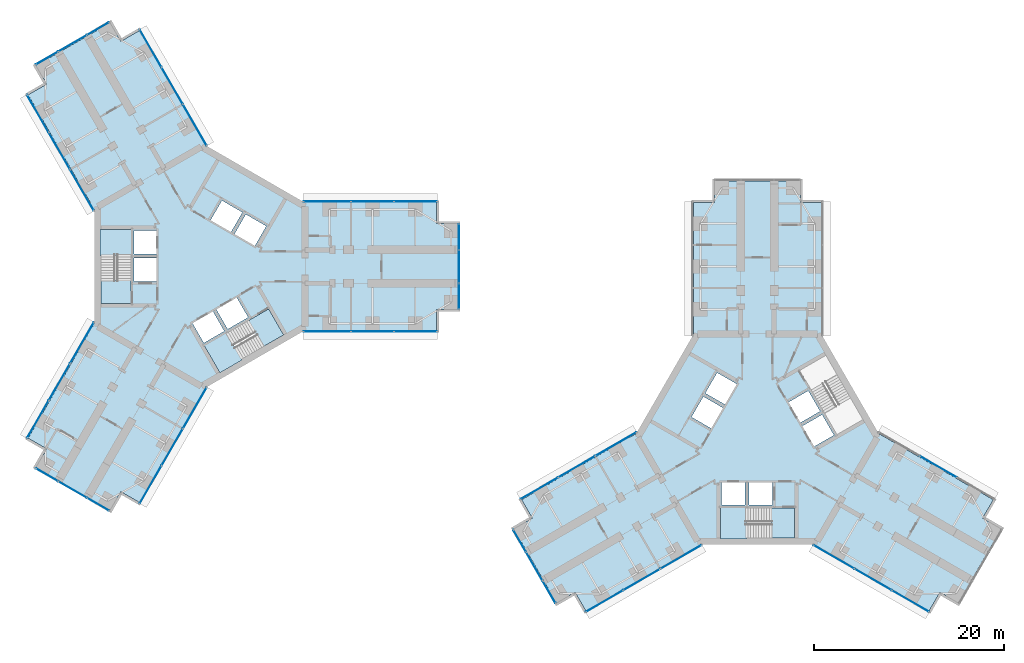
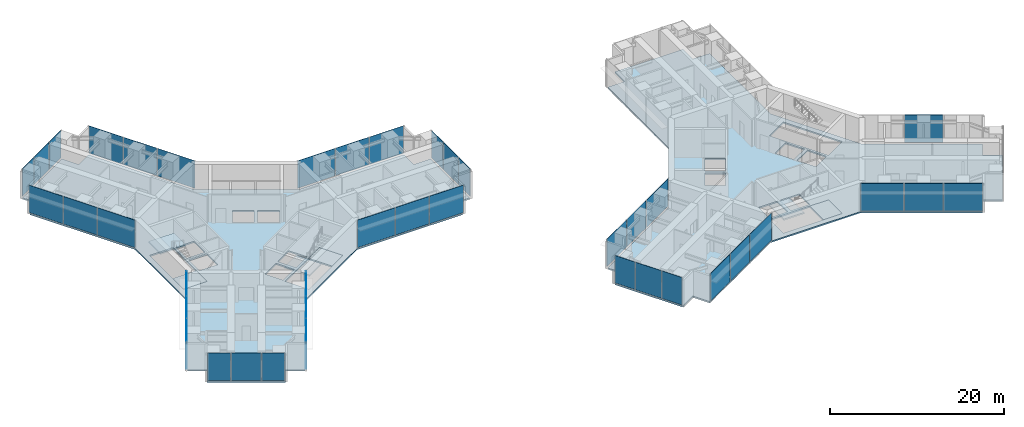
# One storey, part 14 of 23: 40 plates, 8 slabs, 17 elements without a shape of their own.
"""IFC4 building model written with IfcOpenShell, lengths in metres."""

from ifc_helpers import new_model, si_unit, direction, frame, origin, origin_2d, place, context, subcontext, project, spatial, polyline, rectangle, outline, extrude, material, layer, layer_set, type_object, element, aggregate, save


model = new_model("IFC4")

# Units and contexts
model_context = context("Model", 3, precision=1e-05, world=origin(), true_north=direction((0.0, 1.0)))
body_context = subcontext(model_context, "Body", "Model", "MODEL_VIEW")
ifc_project = project(units=[si_unit("LENGTHUNIT", "METRE"), si_unit("AREAUNIT", "SQUARE_METRE"), si_unit("VOLUMEUNIT", "CUBIC_METRE"), si_unit("PLANEANGLEUNIT", "RADIAN"), si_unit("MASSUNIT", "GRAM", prefix="KILO")], contexts=[model_context])

# Site, building, storey
site_placement = place(None, origin())
site = spatial("IfcSite", under=ifc_project, at=site_placement, CompositionType="ELEMENT")
building_placement = place(site_placement, origin())
building = spatial("IfcBuilding", under=site, at=building_placement, Name="Upepo Twin Towers", CompositionType="ELEMENT")
storey_placement = place(building_placement, frame((0.0, 0.0, 32.5)))
storey = spatial("IfcBuildingStorey", under=building, at=storey_placement, Name="L07", CompositionType="ELEMENT", Elevation=32.5)

# Curtain wall, plates
ifc_material_1 = material(Name="Aluminium and fritted glass", Category="aluminium")
curtain_wall_type = type_object("IfcCurtainWallType", Name="Tower curtain wall TW1, fritted glass", PredefinedType="NOTDEFINED", material=ifc_material_1)
curtain_wall_1_placement = place(storey_placement, origin())
curtain_wall_1 = element("IfcCurtainWall", 1, at=curtain_wall_1_placement, inside=storey, type_object=curtain_wall_type, Name="T1 L07 wing A flank L curtain wall", PredefinedType="NOTDEFINED")
ifc_material_2 = material(Name="Ceramic-fritted laminated glass", Category="glass")
ifc_layer_1 = layer(ifc_material_2, 0.031982421875)
ifc_layer_set_1 = layer_set([ifc_layer_1], Name="Fritted glass panel, 20 per cent dot frit, 32 mm double glazed")
plate_type_1 = type_object("IfcPlateType", Name="Fritted glass panel, 20 per cent dot frit, 32 mm double glazed", PredefinedType="CURTAIN_PANEL", material=ifc_layer_set_1)
plate_1_placement = place(storey_placement, frame((13.23486328125, 6.85009765625, 0.14990234375), z_axis=(0.0, 0.0, 1.0), x_axis=(1.0, 0.0, 0.0)))
plate_1 = element("IfcPlate", 2, at=plate_1_placement, type_object=plate_type_1, Name="T1 L07 wing A flank L curtain wall panel 1", PredefinedType="CURTAIN_PANEL", context=body_context, shape_type="SweptSolid", body=[
    extrude(rectangle(XDim=4.96533203125, YDim=0.031982421875, at=origin_2d()), origin(), (0.0, 0.0, 1.0), 3.85009765625),
])
plate_2_placement = place(storey_placement, frame((18.0, 6.85009765625, 0.14990234375), z_axis=(0.0, 0.0, 1.0), x_axis=(1.0, 0.0, 0.0)))
plate_2 = element("IfcPlate", 3, at=plate_2_placement, type_object=plate_type_1, Name="T1 L07 wing A flank L curtain wall panel 2", PredefinedType="CURTAIN_PANEL", context=body_context, shape_type="SweptSolid", body=[
    extrude(rectangle(XDim=4.43505859375, YDim=0.031982421875, at=origin_2d()), origin(), (0.0, 0.0, 1.0), 3.85009765625),
])
plate_3_placement = place(storey_placement, frame((22.53369140625, 6.85009765625, 0.14990234375), z_axis=(0.0, 0.0, 1.0), x_axis=(1.0, 0.0, 0.0)))
plate_3 = element("IfcPlate", 4, at=plate_3_placement, type_object=plate_type_1, Name="T1 L07 wing A flank L curtain wall panel 3", PredefinedType="CURTAIN_PANEL", context=body_context, shape_type="SweptSolid", body=[
    extrude(rectangle(XDim=4.50244140625, YDim=0.031982421875, at=origin_2d()), origin(), (0.0, 0.0, 1.0), 3.85009765625),
])
aggregate(curtain_wall_1, [plate_1, plate_2, plate_3])

curtain_wall_2_placement = place(storey_placement, origin())
curtain_wall_2 = element("IfcCurtainWall", 5, at=curtain_wall_2_placement, inside=storey, type_object=curtain_wall_type, Name="T1 L07 wing A flank R curtain wall", PredefinedType="NOTDEFINED")
plate_4_placement = place(storey_placement, frame((22.53369140625, -6.85009765625, 0.14990234375), z_axis=(0.0, 0.0, 1.0), x_axis=(-1.0, 0.0, 0.0)))
plate_4 = element("IfcPlate", 6, at=plate_4_placement, type_object=plate_type_1, Name="T1 L07 wing A flank R curtain wall panel 1", PredefinedType="CURTAIN_PANEL", context=body_context, shape_type="SweptSolid", body=[
    extrude(rectangle(XDim=4.50244140625, YDim=0.031982421875, at=origin_2d()), origin(), (0.0, 0.0, 1.0), 3.85009765625),
])
plate_5_placement = place(storey_placement, frame((18.0, -6.85009765625, 0.14990234375), z_axis=(0.0, 0.0, 1.0), x_axis=(-1.0, 0.0, 0.0)))
plate_5 = element("IfcPlate", 7, at=plate_5_placement, type_object=plate_type_1, Name="T1 L07 wing A flank R curtain wall panel 2", PredefinedType="CURTAIN_PANEL", context=body_context, shape_type="SweptSolid", body=[
    extrude(rectangle(XDim=4.43505859375, YDim=0.031982421875, at=origin_2d()), origin(), (0.0, 0.0, 1.0), 3.85009765625),
])
plate_6_placement = place(storey_placement, frame((13.23486328125, -6.85009765625, 0.14990234375), z_axis=(0.0, 0.0, 1.0), x_axis=(-1.0, 0.0, 0.0)))
plate_6 = element("IfcPlate", 8, at=plate_6_placement, type_object=plate_type_1, Name="T1 L07 wing A flank R curtain wall panel 3", PredefinedType="CURTAIN_PANEL", context=body_context, shape_type="SweptSolid", body=[
    extrude(rectangle(XDim=4.96533203125, YDim=0.031982421875, at=origin_2d()), origin(), (0.0, 0.0, 1.0), 3.85009765625),
])
aggregate(curtain_wall_2, [plate_4, plate_5, plate_6])

# Curtain wall, plate
curtain_wall_3_placement = place(storey_placement, origin())
curtain_wall_3 = element("IfcCurtainWall", 9, at=curtain_wall_3_placement, inside=storey, type_object=curtain_wall_type, Name="T1 L07 wing A nose curtain wall", PredefinedType="NOTDEFINED")
plate_7_placement = place(storey_placement, frame((27.10009765625, 0.0, 0.14990234375), z_axis=(0.0, 0.0, 1.0), x_axis=(0.0, 1.0, 0.0)))
plate_7 = element("IfcPlate", 10, at=plate_7_placement, type_object=plate_type_1, Name="T1 L07 wing A nose curtain wall panel 2", PredefinedType="CURTAIN_PANEL", context=body_context, shape_type="SweptSolid", body=[
    extrude(rectangle(XDim=3.43505859375, YDim=0.031982421875, at=origin_2d()), origin(), (0.0, 0.0, 1.0), 3.85009765625),
])

# Curtain wall, plates
curtain_wall_4_placement = place(storey_placement, origin())
curtain_wall_4 = element("IfcCurtainWall", 11, at=curtain_wall_4_placement, inside=storey, type_object=curtain_wall_type, Name="T1 L07 wing B flank L curtain wall", PredefinedType="NOTDEFINED")
plate_8_placement = place(storey_placement, frame((-12.549560546875, 8.03662109375, 0.14990234375), z_axis=(0.0, 0.0, 1.0), x_axis=(-0.500000024426, 0.866025389682, 0.0)))
plate_8 = element("IfcPlate", 12, at=plate_8_placement, type_object=plate_type_1, Name="T1 L07 wing B flank L curtain wall panel 1", PredefinedType="CURTAIN_PANEL", context=body_context, shape_type="SweptSolid", body=[
    extrude(rectangle(XDim=4.96533203125, YDim=0.031982421875, at=origin_2d()), origin(), (0.0, 0.0, 1.0), 3.85009765625),
])
plate_9_placement = place(storey_placement, frame((-14.932373046875, 12.16357421875, 0.14990234375), z_axis=(0.0, 0.0, 1.0), x_axis=(-0.500000024426, 0.866025389682, 0.0)))
plate_9 = element("IfcPlate", 13, at=plate_9_placement, type_object=plate_type_1, Name="T1 L07 wing B flank L curtain wall panel 2", PredefinedType="CURTAIN_PANEL", context=body_context, shape_type="SweptSolid", body=[
    extrude(rectangle(XDim=4.43505859375, YDim=0.031982421875, at=origin_2d()), origin(), (0.0, 0.0, 1.0), 3.85009765625),
])
plate_10_placement = place(storey_placement, frame((-17.19921875, 16.08984375, 0.14990234375), z_axis=(0.0, 0.0, 1.0), x_axis=(-0.500000024426, 0.866025389682, 0.0)))
plate_10 = element("IfcPlate", 14, at=plate_10_placement, type_object=plate_type_1, Name="T1 L07 wing B flank L curtain wall panel 3", PredefinedType="CURTAIN_PANEL", context=body_context, shape_type="SweptSolid", body=[
    extrude(rectangle(XDim=4.50244140625, YDim=0.031982421875, at=origin_2d()), origin(), (0.0, 0.0, 1.0), 3.85009765625),
])
aggregate(curtain_wall_4, [plate_8, plate_9, plate_10])

curtain_wall_5_placement = place(storey_placement, origin())
curtain_wall_5 = element("IfcCurtainWall", 15, at=curtain_wall_5_placement, inside=storey, type_object=curtain_wall_type, Name="T1 L07 wing B flank R curtain wall", PredefinedType="NOTDEFINED")
plate_11_placement = place(storey_placement, frame((-5.334716796875, 22.939697265625, 0.14990234375), z_axis=(0.0, 0.0, 1.0), x_axis=(0.500000024426, -0.866025389682, 0.0)))
plate_11 = element("IfcPlate", 16, at=plate_11_placement, type_object=plate_type_1, Name="T1 L07 wing B flank R curtain wall panel 1", PredefinedType="CURTAIN_PANEL", context=body_context, shape_type="SweptSolid", body=[
    extrude(rectangle(XDim=4.50244140625, YDim=0.031982421875, at=origin_2d()), origin(), (0.0, 0.0, 1.0), 3.85009765625),
])
plate_12_placement = place(storey_placement, frame((-3.067626953125, 19.013427734375, 0.14990234375), z_axis=(0.0, 0.0, 1.0), x_axis=(0.500000024426, -0.866025389682, 0.0)))
plate_12 = element("IfcPlate", 17, at=plate_12_placement, type_object=plate_type_1, Name="T1 L07 wing B flank R curtain wall panel 2", PredefinedType="CURTAIN_PANEL", context=body_context, shape_type="SweptSolid", body=[
    extrude(rectangle(XDim=4.43505859375, YDim=0.031982421875, at=origin_2d()), origin(), (0.0, 0.0, 1.0), 3.85009765625),
])
plate_13_placement = place(storey_placement, frame((-0.68505859375, 14.88671875, 0.14990234375), z_axis=(0.0, 0.0, 1.0), x_axis=(0.500000024426, -0.866025389682, 0.0)))
plate_13 = element("IfcPlate", 18, at=plate_13_placement, type_object=plate_type_1, Name="T1 L07 wing B flank R curtain wall panel 3", PredefinedType="CURTAIN_PANEL", context=body_context, shape_type="SweptSolid", body=[
    extrude(rectangle(XDim=4.96533203125, YDim=0.031982421875, at=origin_2d()), origin(), (0.0, 0.0, 1.0), 3.85009765625),
])
aggregate(curtain_wall_5, [plate_11, plate_12, plate_13])

# Curtain wall, plate
curtain_wall_6_placement = place(storey_placement, origin())
curtain_wall_6 = element("IfcCurtainWall", 19, at=curtain_wall_6_placement, inside=storey, type_object=curtain_wall_type, Name="T1 L07 wing B nose curtain wall", PredefinedType="NOTDEFINED")
plate_14_placement = place(storey_placement, frame((-13.550048828125, 23.46923828125, 0.14990234375), z_axis=(0.0, 0.0, 1.0), x_axis=(-0.866025386174, -0.500000030502, 0.0)))
plate_14 = element("IfcPlate", 20, at=plate_14_placement, type_object=plate_type_1, Name="T1 L07 wing B nose curtain wall panel 2", PredefinedType="CURTAIN_PANEL", context=body_context, shape_type="SweptSolid", body=[
    extrude(rectangle(XDim=3.43505859375, YDim=0.031982421875, at=origin_2d()), origin(), (0.0, 0.0, 1.0), 3.85009765625),
])

# Curtain wall, plates
curtain_wall_7_placement = place(storey_placement, origin())
curtain_wall_7 = element("IfcCurtainWall", 21, at=curtain_wall_7_placement, inside=storey, type_object=curtain_wall_type, Name="T1 L07 wing C flank L curtain wall", PredefinedType="NOTDEFINED")
plate_15_placement = place(storey_placement, frame((-0.68505859375, -14.88671875, 0.14990234375), z_axis=(0.0, 0.0, 1.0), x_axis=(-0.500000024426, -0.866025389682, 0.0)))
plate_15 = element("IfcPlate", 22, at=plate_15_placement, type_object=plate_type_1, Name="T1 L07 wing C flank L curtain wall panel 1", PredefinedType="CURTAIN_PANEL", context=body_context, shape_type="SweptSolid", body=[
    extrude(rectangle(XDim=4.96533203125, YDim=0.031982421875, at=origin_2d()), origin(), (0.0, 0.0, 1.0), 3.85009765625),
])
plate_16_placement = place(storey_placement, frame((-3.067626953125, -19.013427734375, 0.14990234375), z_axis=(0.0, 0.0, 1.0), x_axis=(-0.500000024426, -0.866025389682, 0.0)))
plate_16 = element("IfcPlate", 23, at=plate_16_placement, type_object=plate_type_1, Name="T1 L07 wing C flank L curtain wall panel 2", PredefinedType="CURTAIN_PANEL", context=body_context, shape_type="SweptSolid", body=[
    extrude(rectangle(XDim=4.43505859375, YDim=0.031982421875, at=origin_2d()), origin(), (0.0, 0.0, 1.0), 3.85009765625),
])
plate_17_placement = place(storey_placement, frame((-5.334716796875, -22.939697265625, 0.14990234375), z_axis=(0.0, 0.0, 1.0), x_axis=(-0.500000024426, -0.866025389682, 0.0)))
plate_17 = element("IfcPlate", 24, at=plate_17_placement, type_object=plate_type_1, Name="T1 L07 wing C flank L curtain wall panel 3", PredefinedType="CURTAIN_PANEL", context=body_context, shape_type="SweptSolid", body=[
    extrude(rectangle(XDim=4.50244140625, YDim=0.031982421875, at=origin_2d()), origin(), (0.0, 0.0, 1.0), 3.85009765625),
])
aggregate(curtain_wall_7, [plate_15, plate_16, plate_17])

curtain_wall_8_placement = place(storey_placement, origin())
curtain_wall_8 = element("IfcCurtainWall", 25, at=curtain_wall_8_placement, inside=storey, type_object=curtain_wall_type, Name="T1 L07 wing C flank R curtain wall", PredefinedType="NOTDEFINED")
plate_18_placement = place(storey_placement, frame((-17.19921875, -16.08984375, 0.14990234375), z_axis=(0.0, 0.0, 1.0), x_axis=(0.500000024426, 0.866025389682, 0.0)))
plate_18 = element("IfcPlate", 26, at=plate_18_placement, type_object=plate_type_1, Name="T1 L07 wing C flank R curtain wall panel 1", PredefinedType="CURTAIN_PANEL", context=body_context, shape_type="SweptSolid", body=[
    extrude(rectangle(XDim=4.50244140625, YDim=0.031982421875, at=origin_2d()), origin(), (0.0, 0.0, 1.0), 3.85009765625),
])
plate_19_placement = place(storey_placement, frame((-14.932373046875, -12.16357421875, 0.14990234375), z_axis=(0.0, 0.0, 1.0), x_axis=(0.500000024426, 0.866025389682, 0.0)))
plate_19 = element("IfcPlate", 27, at=plate_19_placement, type_object=plate_type_1, Name="T1 L07 wing C flank R curtain wall panel 2", PredefinedType="CURTAIN_PANEL", context=body_context, shape_type="SweptSolid", body=[
    extrude(rectangle(XDim=4.43505859375, YDim=0.031982421875, at=origin_2d()), origin(), (0.0, 0.0, 1.0), 3.85009765625),
])
plate_20_placement = place(storey_placement, frame((-12.549560546875, -8.03662109375, 0.14990234375), z_axis=(0.0, 0.0, 1.0), x_axis=(0.500000024426, 0.866025389682, 0.0)))
plate_20 = element("IfcPlate", 28, at=plate_20_placement, type_object=plate_type_1, Name="T1 L07 wing C flank R curtain wall panel 3", PredefinedType="CURTAIN_PANEL", context=body_context, shape_type="SweptSolid", body=[
    extrude(rectangle(XDim=4.96533203125, YDim=0.031982421875, at=origin_2d()), origin(), (0.0, 0.0, 1.0), 3.85009765625),
])
aggregate(curtain_wall_8, [plate_18, plate_19, plate_20])

# Curtain wall, plate
curtain_wall_9_placement = place(storey_placement, origin())
curtain_wall_9 = element("IfcCurtainWall", 29, at=curtain_wall_9_placement, inside=storey, type_object=curtain_wall_type, Name="T1 L07 wing C nose curtain wall", PredefinedType="NOTDEFINED")
plate_21_placement = place(storey_placement, frame((-13.550048828125, -23.46923828125, 0.14990234375), z_axis=(0.0, 0.0, 1.0), x_axis=(0.866025386174, -0.500000030502, 0.0)))
plate_21 = element("IfcPlate", 30, at=plate_21_placement, type_object=plate_type_1, Name="T1 L07 wing C nose curtain wall panel 2", PredefinedType="CURTAIN_PANEL", context=body_context, shape_type="SweptSolid", body=[
    extrude(rectangle(XDim=3.43505859375, YDim=0.031982421875, at=origin_2d()), origin(), (0.0, 0.0, 1.0), 3.85009765625),
])

# Curtain wall, plates
curtain_wall_10_placement = place(storey_placement, origin())
curtain_wall_10 = element("IfcCurtainWall", 31, at=curtain_wall_10_placement, inside=storey, type_object=curtain_wall_type, Name="T2 L07 wing B flank L curtain wall", PredefinedType="NOTDEFINED")
plate_22_placement = place(storey_placement, frame((50.46337890625, -30.549560546875, 0.14990234375), z_axis=(0.0, 0.0, 1.0), x_axis=(-0.866025389682, -0.500000024426, 0.0)))
plate_22 = element("IfcPlate", 32, at=plate_22_placement, type_object=plate_type_1, Name="T2 L07 wing B flank L curtain wall panel 1", PredefinedType="CURTAIN_PANEL", context=body_context, shape_type="SweptSolid", body=[
    extrude(rectangle(XDim=4.96533203125, YDim=0.031982421875, at=origin_2d()), origin(), (0.0, 0.0, 1.0), 3.85009765625),
])
plate_23_placement = place(storey_placement, frame((46.33642578125, -32.932373046875, 0.14990234375), z_axis=(0.0, 0.0, 1.0), x_axis=(-0.866025389682, -0.500000024426, 0.0)))
plate_23 = element("IfcPlate", 33, at=plate_23_placement, type_object=plate_type_1, Name="T2 L07 wing B flank L curtain wall panel 2", PredefinedType="CURTAIN_PANEL", context=body_context, shape_type="SweptSolid", body=[
    extrude(rectangle(XDim=4.43505859375, YDim=0.031982421875, at=origin_2d()), origin(), (0.0, 0.0, 1.0), 3.85009765625),
])
plate_24_placement = place(storey_placement, frame((42.41015625, -35.19921875, 0.14990234375), z_axis=(0.0, 0.0, 1.0), x_axis=(-0.866025389682, -0.500000024426, 0.0)))
plate_24 = element("IfcPlate", 34, at=plate_24_placement, type_object=plate_type_1, Name="T2 L07 wing B flank L curtain wall panel 3", PredefinedType="CURTAIN_PANEL", context=body_context, shape_type="SweptSolid", body=[
    extrude(rectangle(XDim=4.50244140625, YDim=0.031982421875, at=origin_2d()), origin(), (0.0, 0.0, 1.0), 3.85009765625),
])
aggregate(curtain_wall_10, [plate_22, plate_23, plate_24])

curtain_wall_11_placement = place(storey_placement, origin())
curtain_wall_11 = element("IfcCurtainWall", 35, at=curtain_wall_11_placement, inside=storey, type_object=curtain_wall_type, Name="T2 L07 wing B flank R curtain wall", PredefinedType="NOTDEFINED")
plate_25_placement = place(storey_placement, frame((35.560302734375, -23.334716796875, 0.14990234375), z_axis=(0.0, 0.0, 1.0), x_axis=(0.866025389682, 0.500000024426, 0.0)))
plate_25 = element("IfcPlate", 36, at=plate_25_placement, type_object=plate_type_1, Name="T2 L07 wing B flank R curtain wall panel 1", PredefinedType="CURTAIN_PANEL", context=body_context, shape_type="SweptSolid", body=[
    extrude(rectangle(XDim=4.50244140625, YDim=0.031982421875, at=origin_2d()), origin(), (0.0, 0.0, 1.0), 3.85009765625),
])
plate_26_placement = place(storey_placement, frame((39.486572265625, -21.067626953125, 0.14990234375), z_axis=(0.0, 0.0, 1.0), x_axis=(0.866025389682, 0.500000024426, 0.0)))
plate_26 = element("IfcPlate", 37, at=plate_26_placement, type_object=plate_type_1, Name="T2 L07 wing B flank R curtain wall panel 2", PredefinedType="CURTAIN_PANEL", context=body_context, shape_type="SweptSolid", body=[
    extrude(rectangle(XDim=4.43505859375, YDim=0.031982421875, at=origin_2d()), origin(), (0.0, 0.0, 1.0), 3.85009765625),
])
plate_27_placement = place(storey_placement, frame((43.61328125, -18.68505859375, 0.14990234375), z_axis=(0.0, 0.0, 1.0), x_axis=(0.866025389682, 0.500000024426, 0.0)))
plate_27 = element("IfcPlate", 38, at=plate_27_placement, type_object=plate_type_1, Name="T2 L07 wing B flank R curtain wall panel 3", PredefinedType="CURTAIN_PANEL", context=body_context, shape_type="SweptSolid", body=[
    extrude(rectangle(XDim=4.96533203125, YDim=0.031982421875, at=origin_2d()), origin(), (0.0, 0.0, 1.0), 3.85009765625),
])
aggregate(curtain_wall_11, [plate_25, plate_26, plate_27])

# Curtain wall, plate
curtain_wall_12_placement = place(storey_placement, origin())
curtain_wall_12 = element("IfcCurtainWall", 39, at=curtain_wall_12_placement, inside=storey, type_object=curtain_wall_type, Name="T2 L07 wing B nose curtain wall", PredefinedType="NOTDEFINED")
plate_28_placement = place(storey_placement, frame((35.03076171875, -31.550048828125, 0.14990234375), z_axis=(0.0, 0.0, 1.0), x_axis=(0.500000030502, -0.866025386174, 0.0)))
plate_28 = element("IfcPlate", 40, at=plate_28_placement, type_object=plate_type_1, Name="T2 L07 wing B nose curtain wall panel 2", PredefinedType="CURTAIN_PANEL", context=body_context, shape_type="SweptSolid", body=[
    extrude(rectangle(XDim=3.43505859375, YDim=0.031982421875, at=origin_2d()), origin(), (0.0, 0.0, 1.0), 3.85009765625),
])

curtain_wall_13_placement = place(storey_placement, origin())
curtain_wall_13 = element("IfcCurtainWall", 41, at=curtain_wall_13_placement, inside=storey, type_object=curtain_wall_type, Name="T2 L07 wing C flank L curtain wall", PredefinedType="NOTDEFINED")
plate_29_placement = place(storey_placement, frame((77.513427734375, -21.067626953125, 0.14990234375), z_axis=(0.0, 0.0, 1.0), x_axis=(0.866025389682, -0.500000024426, 0.0)))
plate_29 = element("IfcPlate", 42, at=plate_29_placement, type_object=plate_type_1, Name="T2 L07 wing C flank L curtain wall panel 2", PredefinedType="CURTAIN_PANEL", context=body_context, shape_type="SweptSolid", body=[
    extrude(rectangle(XDim=4.43505859375, YDim=0.031982421875, at=origin_2d()), origin(), (0.0, 0.0, 1.0), 3.85009765625),
])
aggregate(curtain_wall_13, [plate_29])

# Curtain wall, plates
curtain_wall_14_placement = place(storey_placement, origin())
curtain_wall_14 = element("IfcCurtainWall", 43, at=curtain_wall_14_placement, inside=storey, type_object=curtain_wall_type, Name="T2 L07 wing C flank R curtain wall", PredefinedType="NOTDEFINED")
plate_30_placement = place(storey_placement, frame((74.58984375, -35.19921875, 0.14990234375), z_axis=(0.0, 0.0, 1.0), x_axis=(-0.866025389682, 0.500000024426, 0.0)))
plate_30 = element("IfcPlate", 44, at=plate_30_placement, type_object=plate_type_1, Name="T2 L07 wing C flank R curtain wall panel 1", PredefinedType="CURTAIN_PANEL", context=body_context, shape_type="SweptSolid", body=[
    extrude(rectangle(XDim=4.50244140625, YDim=0.031982421875, at=origin_2d()), origin(), (0.0, 0.0, 1.0), 3.85009765625),
])
plate_31_placement = place(storey_placement, frame((70.66357421875, -32.932373046875, 0.14990234375), z_axis=(0.0, 0.0, 1.0), x_axis=(-0.866025389682, 0.500000024426, 0.0)))
plate_31 = element("IfcPlate", 45, at=plate_31_placement, type_object=plate_type_1, Name="T2 L07 wing C flank R curtain wall panel 2", PredefinedType="CURTAIN_PANEL", context=body_context, shape_type="SweptSolid", body=[
    extrude(rectangle(XDim=4.43505859375, YDim=0.031982421875, at=origin_2d()), origin(), (0.0, 0.0, 1.0), 3.85009765625),
])
plate_32_placement = place(storey_placement, frame((66.53662109375, -30.549560546875, 0.14990234375), z_axis=(0.0, 0.0, 1.0), x_axis=(-0.866025389682, 0.500000024426, 0.0)))
plate_32 = element("IfcPlate", 46, at=plate_32_placement, type_object=plate_type_1, Name="T2 L07 wing C flank R curtain wall panel 3", PredefinedType="CURTAIN_PANEL", context=body_context, shape_type="SweptSolid", body=[
    extrude(rectangle(XDim=4.96533203125, YDim=0.031982421875, at=origin_2d()), origin(), (0.0, 0.0, 1.0), 3.85009765625),
])
aggregate(curtain_wall_14, [plate_30, plate_31, plate_32])

# Plate
ifc_material_3 = material(Name="Clear laminated glass in opening sash", Category="glass")
ifc_layer_2 = layer(ifc_material_3, 0.031982421875)
ifc_layer_set_2 = layer_set([ifc_layer_2], Name="Operable glass panel, 32 mm double glazed")
plate_type_2 = type_object("IfcPlateType", Name="Operable glass panel, 32 mm double glazed", PredefinedType="CURTAIN_PANEL", material=ifc_layer_set_2)
plate_33_placement = place(storey_placement, frame((27.10009765625, -3.108642578125, 0.14990234375), z_axis=(0.0, 0.0, 1.0), x_axis=(0.0, 1.0, 0.0)))
plate_33 = element("IfcPlate", 47, at=plate_33_placement, type_object=plate_type_2, Name="T1 L07 wing A nose curtain wall panel 1", PredefinedType="CURTAIN_PANEL", context=body_context, shape_type="SweptSolid", body=[
    extrude(rectangle(XDim=2.652587890625, YDim=0.031982421875, at=origin_2d()), origin(), (0.0, 0.0, 1.0), 3.85009765625),
])

plate_34_placement = place(storey_placement, frame((27.10009765625, 3.108642578125, 0.14990234375), z_axis=(0.0, 0.0, 1.0), x_axis=(0.0, 1.0, 0.0)))
plate_34 = element("IfcPlate", 48, at=plate_34_placement, type_object=plate_type_2, Name="T1 L07 wing A nose curtain wall panel 3", PredefinedType="CURTAIN_PANEL", context=body_context, shape_type="SweptSolid", body=[
    extrude(rectangle(XDim=2.652587890625, YDim=0.031982421875, at=origin_2d()), origin(), (0.0, 0.0, 1.0), 3.85009765625),
])

aggregate(curtain_wall_3, [plate_33, plate_7, plate_34])

plate_35_placement = place(storey_placement, frame((-10.857666015625, 25.023681640625, 0.14990234375), z_axis=(0.0, 0.0, 1.0), x_axis=(-0.866025386174, -0.500000030502, 0.0)))
plate_35 = element("IfcPlate", 49, at=plate_35_placement, type_object=plate_type_2, Name="T1 L07 wing B nose curtain wall panel 1", PredefinedType="CURTAIN_PANEL", context=body_context, shape_type="SweptSolid", body=[
    extrude(rectangle(XDim=2.652587890625, YDim=0.031982421875, at=origin_2d()), origin(), (0.0, 0.0, 1.0), 3.85009765625),
])

plate_36_placement = place(storey_placement, frame((-16.2421875, 21.914794921875, 0.14990234375), z_axis=(0.0, 0.0, 1.0), x_axis=(-0.866025386174, -0.500000030502, 0.0)))
plate_36 = element("IfcPlate", 50, at=plate_36_placement, type_object=plate_type_2, Name="T1 L07 wing B nose curtain wall panel 3", PredefinedType="CURTAIN_PANEL", context=body_context, shape_type="SweptSolid", body=[
    extrude(rectangle(XDim=2.652587890625, YDim=0.031982421875, at=origin_2d()), origin(), (0.0, 0.0, 1.0), 3.85009765625),
])

aggregate(curtain_wall_6, [plate_35, plate_14, plate_36])

plate_37_placement = place(storey_placement, frame((-16.2421875, -21.914794921875, 0.14990234375), z_axis=(0.0, 0.0, 1.0), x_axis=(0.866025386174, -0.500000030502, 0.0)))
plate_37 = element("IfcPlate", 51, at=plate_37_placement, type_object=plate_type_2, Name="T1 L07 wing C nose curtain wall panel 1", PredefinedType="CURTAIN_PANEL", context=body_context, shape_type="SweptSolid", body=[
    extrude(rectangle(XDim=2.652587890625, YDim=0.031982421875, at=origin_2d()), origin(), (0.0, 0.0, 1.0), 3.85009765625),
])

plate_38_placement = place(storey_placement, frame((-10.857666015625, -25.023681640625, 0.14990234375), z_axis=(0.0, 0.0, 1.0), x_axis=(0.866025386174, -0.500000030502, 0.0)))
plate_38 = element("IfcPlate", 52, at=plate_38_placement, type_object=plate_type_2, Name="T1 L07 wing C nose curtain wall panel 3", PredefinedType="CURTAIN_PANEL", context=body_context, shape_type="SweptSolid", body=[
    extrude(rectangle(XDim=2.652587890625, YDim=0.031982421875, at=origin_2d()), origin(), (0.0, 0.0, 1.0), 3.85009765625),
])

aggregate(curtain_wall_9, [plate_37, plate_21, plate_38])

plate_39_placement = place(storey_placement, frame((33.476318359375, -28.857666015625, 0.14990234375), z_axis=(0.0, 0.0, 1.0), x_axis=(0.500000030502, -0.866025386174, 0.0)))
plate_39 = element("IfcPlate", 53, at=plate_39_placement, type_object=plate_type_2, Name="T2 L07 wing B nose curtain wall panel 1", PredefinedType="CURTAIN_PANEL", context=body_context, shape_type="SweptSolid", body=[
    extrude(rectangle(XDim=2.652587890625, YDim=0.031982421875, at=origin_2d()), origin(), (0.0, 0.0, 1.0), 3.85009765625),
])

plate_40_placement = place(storey_placement, frame((36.585205078125, -34.2421875, 0.14990234375), z_axis=(0.0, 0.0, 1.0), x_axis=(0.500000030502, -0.866025386174, 0.0)))
plate_40 = element("IfcPlate", 54, at=plate_40_placement, type_object=plate_type_2, Name="T2 L07 wing B nose curtain wall panel 3", PredefinedType="CURTAIN_PANEL", context=body_context, shape_type="SweptSolid", body=[
    extrude(rectangle(XDim=2.652587890625, YDim=0.031982421875, at=origin_2d()), origin(), (0.0, 0.0, 1.0), 3.85009765625),
])

aggregate(curtain_wall_12, [plate_39, plate_28, plate_40])

# Stair, slabs
ifc_material_4 = material(Name="Concrete C40/50", Category="concrete")
stair_type = type_object("IfcStairType", Name="Core stair, two flights", PredefinedType="HALF_TURN_STAIR", material=ifc_material_4)
stair_1_placement = place(storey_placement, origin())
stair_1 = element("IfcStair", 55, at=stair_1_placement, inside=storey, type_object=stair_type, Name="T1 stair S1 L07", PredefinedType="HALF_TURN_STAIR")
ifc_material_5 = material(Name="Concrete C40/50", Category="concrete")
ifc_layer_3 = layer(ifc_material_5, 0.199951171875)
ifc_layer_set_3 = layer_set([ifc_layer_3], Name="Concrete C40/50")
slab_type_1 = type_object("IfcSlabType", Name="Stair landing 200 RC", PredefinedType="LANDING", material=ifc_layer_set_3)
slab_1_placement = place(storey_placement, frame((0.0, 0.0, -0.199951171875)))
slab_1 = element("IfcSlab", 56, at=slab_1_placement, type_object=slab_type_1, Name="Stair S1 landing 1", PredefinedType="LANDING", context=body_context, shape_type="SweptSolid", body=[
    extrude(outline(polyline([(-7.39990234375, -1.419921875), (-10.558349609375, -1.419921875), (-10.558349609375, -3.89990234375), (-7.39990234375, -3.89990234375), (-7.39990234375, -1.419921875)])), origin(), (0.0, 0.0, 1.0), 0.199951171875),
])
slab_2_placement = place(storey_placement, frame((0.0, 0.0, 1.800048828125)))
slab_2 = element("IfcSlab", 57, at=slab_2_placement, type_object=slab_type_1, Name="Stair S1 landing 2", PredefinedType="LANDING", context=body_context, shape_type="SweptSolid", body=[
    extrude(outline(polyline([(-7.300048828125, 3.89990234375), (-10.658447265625, 3.89990234375), (-10.658447265625, 1.179931640625), (-7.300048828125, 1.179931640625), (-7.300048828125, 3.89990234375)])), origin(), (0.0, 0.0, 1.0), 0.199951171875),
])
aggregate(stair_1, [slab_1, slab_2])

stair_2_placement = place(storey_placement, origin())
stair_2 = element("IfcStair", 58, at=stair_2_placement, inside=storey, type_object=stair_type, Name="T1 stair S2 L07", PredefinedType="HALF_TURN_STAIR")
slab_3_placement = place(storey_placement, frame((0.0, 0.0, -0.199951171875)))
slab_3 = element("IfcSlab", 59, at=slab_3_placement, type_object=slab_type_1, Name="Stair S2 landing 1", PredefinedType="LANDING", context=body_context, shape_type="SweptSolid", body=[
    extrude(outline(polyline([(4.9296875, -5.698486328125), (6.509033203125, -8.433837890625), (8.65673828125, -7.19384765625), (7.077392578125, -4.45849609375), (4.9296875, -5.698486328125)])), origin(), (0.0, 0.0, 1.0), 0.199951171875),
])
slab_4_placement = place(storey_placement, frame((0.0, 0.0, 1.800048828125)))
slab_4 = element("IfcSlab", 60, at=slab_4_placement, type_object=slab_type_1, Name="Stair S2 landing 2", PredefinedType="LANDING", context=body_context, shape_type="SweptSolid", body=[
    extrude(outline(polyline([(0.2724609375, -8.27197265625), (1.95166015625, -11.180419921875), (4.307373046875, -9.8203125), (2.628173828125, -6.911865234375), (0.2724609375, -8.27197265625)])), origin(), (0.0, 0.0, 1.0), 0.199951171875),
])
aggregate(stair_2, [slab_3, slab_4])

stair_3_placement = place(storey_placement, origin())
stair_3 = element("IfcStair", 61, at=stair_3_placement, inside=storey, type_object=stair_type, Name="T2 stair S1 L07", PredefinedType="HALF_TURN_STAIR")
slab_5_placement = place(storey_placement, frame((0.0, 0.0, -0.199951171875)))
slab_5 = element("IfcSlab", 62, at=slab_5_placement, type_object=slab_type_1, Name="Stair S1 landing 1", PredefinedType="LANDING", context=body_context, shape_type="SweptSolid", body=[
    extrude(outline(polyline([(59.919921875, -25.39990234375), (59.919921875, -28.558349609375), (62.39990234375, -28.558349609375), (62.39990234375, -25.39990234375), (59.919921875, -25.39990234375)])), origin(), (0.0, 0.0, 1.0), 0.199951171875),
])
slab_6_placement = place(storey_placement, frame((0.0, 0.0, 1.800048828125)))
slab_6 = element("IfcSlab", 63, at=slab_6_placement, type_object=slab_type_1, Name="Stair S1 landing 2", PredefinedType="LANDING", context=body_context, shape_type="SweptSolid", body=[
    extrude(outline(polyline([(54.60009765625, -25.300048828125), (54.60009765625, -28.658447265625), (57.320068359375, -28.658447265625), (57.320068359375, -25.300048828125), (54.60009765625, -25.300048828125)])), origin(), (0.0, 0.0, 1.0), 0.199951171875),
])
aggregate(stair_3, [slab_5, slab_6])

# Slabs
ifc_material_6 = material(Name="Concrete C40/50", Category="concrete")
ifc_layer_4 = layer(ifc_material_6, 0.199951171875)
ifc_layer_set_4 = layer_set([ifc_layer_4], Name="Concrete C40/50")
slab_type_2 = type_object("IfcSlabType", Name="Tower floor slab 200 RC", PredefinedType="FLOOR", material=ifc_layer_set_4)
slab_7_placement = place(storey_placement, frame((0.0, 0.0, -0.199951171875)))
element("IfcSlab", 64, at=slab_7_placement, inside=storey, type_object=slab_type_2, Name="T1 L07 floor slab", PredefinedType="FLOOR", context=body_context, shape_type="SweptSolid", body=[
    extrude(outline(polyline([(-8.477783203125, -23.68408203125), (-9.602783203125, -25.632568359375), (-17.397216796875, -21.132568359375), (-16.272216796875, -19.18408203125), (-18.220703125, -18.05908203125), (-11.25830078125, -6.0), (-11.25830078125, 6.0), (-18.220703125, 18.05908203125), (-16.272216796875, 19.18408203125), (-17.397216796875, 21.132568359375), (-9.602783203125, 25.632568359375), (-8.477783203125, 23.68408203125), (-6.529296875, 24.80908203125), (0.43310546875, 12.75), (10.825439453125, 6.75), (24.75, 6.75), (24.75, 4.5), (27.0, 4.5), (27.0, -4.5), (24.75, -4.5), (24.75, -6.75), (10.825439453125, -6.75), (0.43310546875, -12.75), (-6.529296875, -24.80908203125), (-8.477783203125, -23.68408203125)]), holes=[polyline([(5.640869140625, 2.17041015625), (6.8408203125, 4.248779296875), (4.67578125, 5.498779296875), (3.475830078125, 3.42041015625), (5.640869140625, 2.17041015625)]), polyline([(3.12939453125, 3.620361328125), (4.329345703125, 5.69873046875), (2.164306640625, 6.94873046875), (0.96435546875, 4.870361328125), (3.12939453125, 3.620361328125)]), polyline([(-4.699951171875, 3.800048828125), (-7.10009765625, 3.800048828125), (-7.10009765625, 1.300048828125), (-4.699951171875, 1.300048828125), (-4.699951171875, 3.800048828125)]), polyline([(-4.699951171875, 0.89990234375), (-7.10009765625, 0.89990234375), (-7.10009765625, -1.60009765625), (-4.699951171875, -1.60009765625), (-4.699951171875, 0.89990234375)]), polyline([(-7.39990234375, 3.89990234375), (-10.558349609375, 3.89990234375), (-10.558349609375, -3.89990234375), (-7.39990234375, -3.89990234375), (-7.39990234375, 3.89990234375)]), polyline([(-0.94091796875, -5.97021484375), (0.259033203125, -8.048828125), (2.424072265625, -6.798828125), (1.22412109375, -4.72021484375), (-0.94091796875, -5.97021484375)]), polyline([(1.570556640625, -4.520263671875), (2.7705078125, -6.598876953125), (4.935546875, -5.348876953125), (3.735595703125, -3.270263671875), (1.570556640625, -4.520263671875)]), polyline([(0.322509765625, -8.358642578125), (1.901611328125, -11.09375), (8.65673828125, -7.19384765625), (7.077392578125, -4.45849609375), (0.322509765625, -8.358642578125)])]), origin(), (0.0, 0.0, 1.0), 0.199951171875),
])
slab_8_placement = place(storey_placement, frame((0.0, 0.0, -0.199951171875)))
element("IfcSlab", 65, at=slab_8_placement, inside=storey, type_object=slab_type_2, Name="T2 L07 floor slab", PredefinedType="FLOOR", context=body_context, shape_type="SweptSolid", body=[
    extrude(outline(polyline([(82.18408203125, -26.477783203125), (84.132568359375, -27.602783203125), (79.632568359375, -35.397216796875), (77.68408203125, -34.272216796875), (76.55908203125, -36.220703125), (64.5, -29.25830078125), (52.5, -29.25830078125), (40.44091796875, -36.220703125), (39.31591796875, -34.272216796875), (37.367431640625, -35.397216796875), (32.867431640625, -27.602783203125), (34.81591796875, -26.477783203125), (33.69091796875, -24.529296875), (45.75, -17.56689453125), (51.75, -7.174560546875), (51.75, 6.75), (54.0, 6.75), (54.0, 9.0), (63.0, 9.0), (63.0, 6.75), (65.25, 6.75), (65.25, -7.174560546875), (71.25, -17.56689453125), (83.30908203125, -24.529296875), (82.18408203125, -26.477783203125)]), holes=[polyline([(56.32958984375, -12.359130859375), (54.251220703125, -11.1591796875), (53.001220703125, -13.32421875), (55.07958984375, -14.524169921875), (56.32958984375, -12.359130859375)]), polyline([(54.879638671875, -14.87060546875), (52.80126953125, -13.670654296875), (51.55126953125, -15.835693359375), (53.629638671875, -17.03564453125), (54.879638671875, -14.87060546875)]), polyline([(54.699951171875, -22.699951171875), (54.699951171875, -25.10009765625), (57.199951171875, -25.10009765625), (57.199951171875, -22.699951171875), (54.699951171875, -22.699951171875)]), polyline([(57.60009765625, -22.699951171875), (57.60009765625, -25.10009765625), (60.10009765625, -25.10009765625), (60.10009765625, -22.699951171875), (57.60009765625, -22.699951171875)]), polyline([(54.60009765625, -25.39990234375), (54.60009765625, -28.558349609375), (62.39990234375, -28.558349609375), (62.39990234375, -25.39990234375), (54.60009765625, -25.39990234375)]), polyline([(64.47021484375, -18.94091796875), (66.548828125, -17.740966796875), (65.298828125, -15.575927734375), (63.22021484375, -16.77587890625), (64.47021484375, -18.94091796875)]), polyline([(63.020263671875, -16.429443359375), (65.098876953125, -15.2294921875), (63.848876953125, -13.064453125), (61.770263671875, -14.264404296875), (63.020263671875, -16.429443359375)]), polyline([(66.858642578125, -17.677490234375), (69.59375, -16.098388671875), (65.69384765625, -9.34326171875), (62.95849609375, -10.922607421875), (66.858642578125, -17.677490234375)])]), origin(), (0.0, 0.0, 1.0), 0.199951171875),
])

save(model, "model.ifc")
